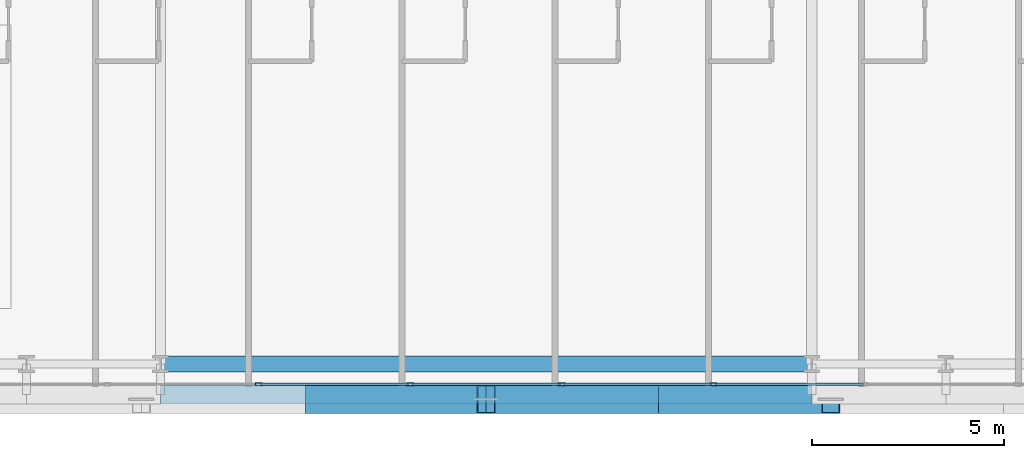
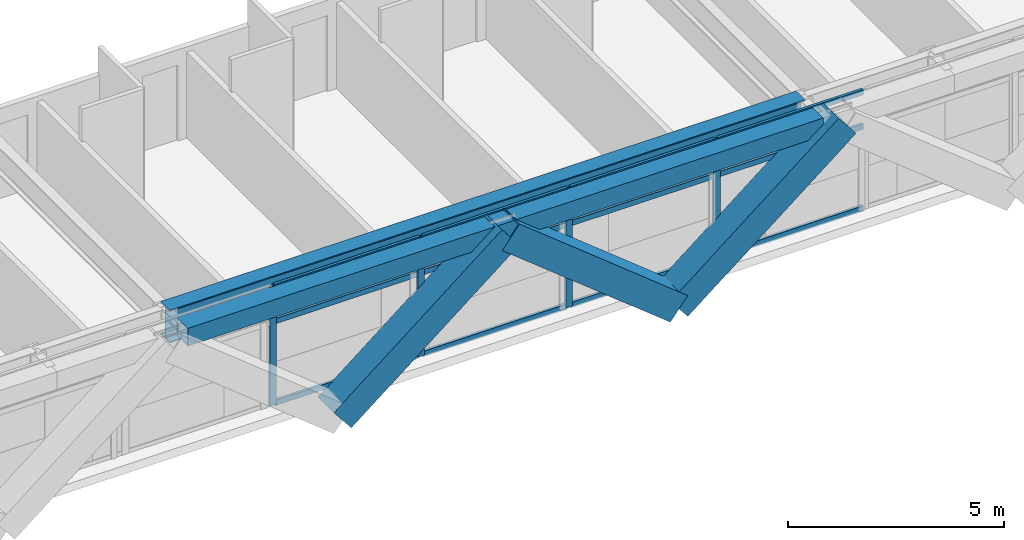
# One storey, part 5 of 36: 19 members, 2 beams, 1 element without a shape of its own.
"""IFC4 building model written with IfcOpenShell, lengths in metres."""

from ifc_helpers import new_model, si_unit, direction, frame, origin, origin_2d, place, context, subcontext, project, spatial, hollow_rectangle, i_section, extrude, source, transform, mapped, material, layer, layer_set, material_profile, profile_set, type_object, element, aggregate, save


model = new_model("IFC4")

# Units and contexts
model_context = context("Model", 3, precision=1e-05, world=origin(), true_north=direction((0.0, 1.0)))
body_context = subcontext(model_context, "Body", "Model", "MODEL_VIEW")
ifc_project = project(units=[si_unit("LENGTHUNIT", "METRE"), si_unit("AREAUNIT", "SQUARE_METRE"), si_unit("VOLUMEUNIT", "CUBIC_METRE"), si_unit("PLANEANGLEUNIT", "RADIAN"), si_unit("MASSUNIT", "GRAM", prefix="KILO")], contexts=[model_context])

# Site, building, storey
site_placement = place(None, origin())
site = spatial("IfcSite", under=ifc_project, at=site_placement, CompositionType="ELEMENT")
building_placement = place(site_placement, origin())
building = spatial("IfcBuilding", under=site, at=building_placement, Name="Ocotamira Hotel", CompositionType="ELEMENT")
storey_placement = place(building_placement, frame((0.0, 0.0, 129.60009765625)))
storey = spatial("IfcBuildingStorey", under=building, at=storey_placement, Name="L32", CompositionType="ELEMENT", Elevation=129.60009765625)

# Beams
ifc_material_1 = material(Name="Steel ASTM A992 Grade 50", Category="steel")
ifc_material_profile_1 = material_profile(ifc_material_1, i_section(OverallWidth=0.41796875, OverallDepth=0.927001953125, WebThickness=0.019287109375, FlangeThickness=0.031982421875, FilletRadius=0.02392578125, at=origin_2d()), Name="W36X231")
ifc_profile_set_1 = profile_set([ifc_material_profile_1], Name="Steel ASTM A992 Grade 50")
beam_type_1 = type_object("IfcBeamType", Name="BM-GIRD-W36X231", PredefinedType="BEAM", material=ifc_profile_set_1)
shared_shape_1 = source(origin(), body_context, "Body", "SweptSolid", [
    extrude(i_section(OverallWidth=0.41796875, OverallDepth=0.927001953125, WebThickness=0.019287109375, FlangeThickness=0.031982421875, FilletRadius=0.02392578125, at=origin_2d()), origin(), (0.0, 0.0, 1.0), 17.0),
])
beam_1_placement = place(storey_placement, frame((23.5, 2.949951171875, 2.896484375), z_axis=(1.0, 0.0, 0.0), x_axis=(0.0, 1.0, 0.0)))
element("IfcBeam", 1, at=beam_1_placement, inside=storey, type_object=beam_type_1, Name="L32 Girder Y2.95 X23.5-40.5", PredefinedType="BEAM", context=body_context, shape_type="MappedRepresentation", body=[
    mapped(shared_shape_1, transform((0.0, 0.0, 0.0), scale=1.0)),
])
ifc_material_2 = material(Name="Steel ASTM A500 Grade C", Category="steel")
ifc_material_profile_2 = material_profile(ifc_material_2, hollow_rectangle(XDim=0.5, YDim=0.5, WallThickness=0.02001953125, at=origin_2d()), Name="HSS500X500X20")
ifc_profile_set_2 = profile_set([ifc_material_profile_2], Name="Steel ASTM A500 Grade C")
beam_type_2 = type_object("IfcBeamType", Name="BM-SPAN-HSS500", PredefinedType="USERDEFINED", material=ifc_profile_set_2)
shared_shape_2 = source(origin(), body_context, "Body", "SweptSolid", [
    extrude(hollow_rectangle(XDim=0.5, YDim=0.5, WallThickness=0.02001953125, at=origin_2d()), origin(), (0.0, 0.0, 1.0), 17.0),
])
beam_2_placement = place(storey_placement, frame((23.5, 2.14990234375, 3.10986328125), z_axis=(1.0, 0.0, 0.0), x_axis=(0.0, 1.0, 0.0)))
element("IfcBeam", 2, at=beam_2_placement, inside=storey, type_object=beam_type_2, Name="L32 Edge Spandrel S X23.5-40.5", ObjectType="SPANDREL", PredefinedType="USERDEFINED", context=body_context, shape_type="MappedRepresentation", body=[
    mapped(shared_shape_2, transform((0.0, 0.0, 0.0), scale=1.0)),
])

# Members
ifc_material_3 = material(Name="Pale-metal coated steel ASTM A913 Grade 65", Category="steel")
ifc_material_profile_3 = material_profile(ifc_material_3, hollow_rectangle(XDim=0.75, YDim=0.75, WallThickness=0.028076171875, at=origin_2d()), Name="BOX750X750X28")
ifc_profile_set_3 = profile_set([ifc_material_profile_3], Name="Pale-metal coated steel ASTM A913 Grade 65")
member_type_1 = type_object("IfcMemberType", Name="MEM-EXO-BOX750", PredefinedType="BRACE", material=ifc_profile_set_3)
shared_shape_3 = source(origin(), body_context, "Body", "SweptSolid", [
    extrude(hollow_rectangle(XDim=0.75, YDim=0.75, WallThickness=0.028076171875, at=origin_2d()), origin(), (0.0, 0.0, 1.0), 5.7626953125),
])
for number, where, z_axis, x_axis, name in (
    (3, (27.5, 2.030029296875, -0.489990234375), (0.780881208953, 0.0, 0.624679547852), (0.0, 1.0, 0.0), "L32 Exoskeleton Diagrid S1.2"),
    (4, (36.5, 2.030029296875, -0.489990234375), (-0.780881208953, 0.0, 0.624679547852), (0.0, -1.0, 0.0), "L32 Exoskeleton Diagrid S2.1"),
    (5, (36.5, 2.030029296875, -0.489990234375), (0.780881208953, 0.0, 0.624679547852), (0.0, 1.0, 0.0), "L32 Exoskeleton Diagrid S2.2"),
):
    element("IfcMember", number, at=place(storey_placement, frame(where, z_axis=z_axis, x_axis=x_axis)), inside=storey, type_object=member_type_1, Name=name, PredefinedType="BRACE", context=body_context, shape_type="MappedRepresentation", body=[
        mapped(shared_shape_3, transform((0.0, 0.0, 0.0), scale=1.0)),
    ])

# Curtain wall, members
ifc_material_4 = material(Name="Anodised pale-metal aluminium and solar glass", Category="aluminium")
ifc_layer = layer(ifc_material_4, 0.179931640625)
ifc_layer_set = layer_set([ifc_layer], Name="Anodised pale-metal aluminium and solar glass")
curtain_wall_type = type_object("IfcCurtainWallType", Name="CW-SYS3-Z2", PredefinedType="NOTDEFINED", material=ifc_layer_set)
curtain_wall_placement = place(storey_placement, origin())
curtain_wall = element("IfcCurtainWall", 6, at=curtain_wall_placement, inside=storey, type_object=curtain_wall_type, Name="L32 Curtain Wall CW-3 CW-L32-S1", PredefinedType="NOTDEFINED")
ifc_material_5 = material(Name="Anodised pale-metal aluminium 6063-T6", Category="aluminium")
ifc_material_profile_4 = material_profile(ifc_material_5, hollow_rectangle(XDim=0.074951171875, YDim=0.14990234375, WallThickness=0.006103515625, at=origin_2d()), Name="HSS150X75X6")
ifc_profile_set_4 = profile_set([ifc_material_profile_4], Name="Anodised pale-metal aluminium 6063-T6")
member_type_2 = type_object("IfcMemberType", Name="CWT-150X75", PredefinedType="USERDEFINED", material=ifc_profile_set_4)
shared_shape_4 = source(origin(), body_context, "Body", "SweptSolid", [
    extrude(hollow_rectangle(XDim=0.074951171875, YDim=0.14990234375, WallThickness=0.006103515625, at=origin_2d()), origin(), (0.0, 0.0, 1.0), 3.87548828125),
])
member_1_placement = place(storey_placement, frame((26.106689453125, 2.419921875, 0.037353515625), z_axis=(1.0, 0.0, 0.0), x_axis=(0.0, 1.0, 0.0)))
member_1 = element("IfcMember", 7, at=member_1_placement, type_object=member_type_2, Name="CW-3 transom 4.1", ObjectType="TRANSOM", PredefinedType="USERDEFINED", context=body_context, shape_type="MappedRepresentation", body=[
    mapped(shared_shape_4, transform((0.0, 0.0, 0.0), scale=1.0)),
])
member_2_placement = place(storey_placement, frame((26.106689453125, 2.419921875, 2.349853515625), z_axis=(1.0, 0.0, 0.0), x_axis=(0.0, 1.0, 0.0)))
member_2 = element("IfcMember", 8, at=member_2_placement, type_object=member_type_2, Name="CW-3 transom 4.2", ObjectType="TRANSOM", PredefinedType="USERDEFINED", context=body_context, shape_type="MappedRepresentation", body=[
    mapped(shared_shape_4, transform((0.0, 0.0, 0.0), scale=1.0)),
])
member_3_placement = place(storey_placement, frame((26.106689453125, 2.419921875, 3.322509765625), z_axis=(1.0, 0.0, 0.0), x_axis=(0.0, 1.0, 0.0)))
member_3 = element("IfcMember", 9, at=member_3_placement, type_object=member_type_2, Name="CW-3 transom 4.3", ObjectType="TRANSOM", PredefinedType="USERDEFINED", context=body_context, shape_type="MappedRepresentation", body=[
    mapped(shared_shape_4, transform((0.0, 0.0, 0.0), scale=1.0)),
])
member_4_placement = place(storey_placement, frame((30.062255859375, 2.419921875, 0.037353515625), z_axis=(1.0, 0.0, 0.0), x_axis=(0.0, 1.0, 0.0)))
member_4 = element("IfcMember", 10, at=member_4_placement, type_object=member_type_2, Name="CW-3 transom 5.1", ObjectType="TRANSOM", PredefinedType="USERDEFINED", context=body_context, shape_type="MappedRepresentation", body=[
    mapped(shared_shape_4, transform((0.0, 0.0, 0.0), scale=1.0)),
])
member_5_placement = place(storey_placement, frame((30.062255859375, 2.419921875, 2.349853515625), z_axis=(1.0, 0.0, 0.0), x_axis=(0.0, 1.0, 0.0)))
member_5 = element("IfcMember", 11, at=member_5_placement, type_object=member_type_2, Name="CW-3 transom 5.2", ObjectType="TRANSOM", PredefinedType="USERDEFINED", context=body_context, shape_type="MappedRepresentation", body=[
    mapped(shared_shape_4, transform((0.0, 0.0, 0.0), scale=1.0)),
])
member_6_placement = place(storey_placement, frame((30.062255859375, 2.419921875, 3.322509765625), z_axis=(1.0, 0.0, 0.0), x_axis=(0.0, 1.0, 0.0)))
member_6 = element("IfcMember", 12, at=member_6_placement, type_object=member_type_2, Name="CW-3 transom 5.3", ObjectType="TRANSOM", PredefinedType="USERDEFINED", context=body_context, shape_type="MappedRepresentation", body=[
    mapped(shared_shape_4, transform((0.0, 0.0, 0.0), scale=1.0)),
])
member_7_placement = place(storey_placement, frame((34.017822265625, 2.419921875, 0.037353515625), z_axis=(1.0, 0.0, 0.0), x_axis=(0.0, 1.0, 0.0)))
member_7 = element("IfcMember", 13, at=member_7_placement, type_object=member_type_2, Name="CW-3 transom 6.1", ObjectType="TRANSOM", PredefinedType="USERDEFINED", context=body_context, shape_type="MappedRepresentation", body=[
    mapped(shared_shape_4, transform((0.0, 0.0, 0.0), scale=1.0)),
])
member_8_placement = place(storey_placement, frame((34.017822265625, 2.419921875, 2.349853515625), z_axis=(1.0, 0.0, 0.0), x_axis=(0.0, 1.0, 0.0)))
member_8 = element("IfcMember", 14, at=member_8_placement, type_object=member_type_2, Name="CW-3 transom 6.2", ObjectType="TRANSOM", PredefinedType="USERDEFINED", context=body_context, shape_type="MappedRepresentation", body=[
    mapped(shared_shape_4, transform((0.0, 0.0, 0.0), scale=1.0)),
])
member_9_placement = place(storey_placement, frame((34.017822265625, 2.419921875, 3.322509765625), z_axis=(1.0, 0.0, 0.0), x_axis=(0.0, 1.0, 0.0)))
member_9 = element("IfcMember", 15, at=member_9_placement, type_object=member_type_2, Name="CW-3 transom 6.3", ObjectType="TRANSOM", PredefinedType="USERDEFINED", context=body_context, shape_type="MappedRepresentation", body=[
    mapped(shared_shape_4, transform((0.0, 0.0, 0.0), scale=1.0)),
])
member_10_placement = place(storey_placement, frame((37.973388671875, 2.419921875, 0.037353515625), z_axis=(1.0, 0.0, 0.0), x_axis=(0.0, 1.0, 0.0)))
member_10 = element("IfcMember", 16, at=member_10_placement, type_object=member_type_2, Name="CW-3 transom 7.1", ObjectType="TRANSOM", PredefinedType="USERDEFINED", context=body_context, shape_type="MappedRepresentation", body=[
    mapped(shared_shape_4, transform((0.0, 0.0, 0.0), scale=1.0)),
])
member_11_placement = place(storey_placement, frame((37.973388671875, 2.419921875, 2.349853515625), z_axis=(1.0, 0.0, 0.0), x_axis=(0.0, 1.0, 0.0)))
member_11 = element("IfcMember", 17, at=member_11_placement, type_object=member_type_2, Name="CW-3 transom 7.2", ObjectType="TRANSOM", PredefinedType="USERDEFINED", context=body_context, shape_type="MappedRepresentation", body=[
    mapped(shared_shape_4, transform((0.0, 0.0, 0.0), scale=1.0)),
])
member_12_placement = place(storey_placement, frame((37.973388671875, 2.419921875, 3.322509765625), z_axis=(1.0, 0.0, 0.0), x_axis=(0.0, 1.0, 0.0)))
member_12 = element("IfcMember", 18, at=member_12_placement, type_object=member_type_2, Name="CW-3 transom 7.3", ObjectType="TRANSOM", PredefinedType="USERDEFINED", context=body_context, shape_type="MappedRepresentation", body=[
    mapped(shared_shape_4, transform((0.0, 0.0, 0.0), scale=1.0)),
])
ifc_material_profile_5 = material_profile(ifc_material_5, hollow_rectangle(XDim=0.080078125, YDim=0.179931640625, WallThickness=0.006103515625, at=origin_2d()), Name="HSS180X80X6")
ifc_profile_set_5 = profile_set([ifc_material_profile_5], Name="Anodised pale-metal aluminium 6063-T6")
member_type_3 = type_object("IfcMemberType", Name="CWM-180X75", PredefinedType="MULLION", material=ifc_profile_set_5)
shared_shape_5 = source(origin(), body_context, "Body", "SweptSolid", [
    extrude(hollow_rectangle(XDim=0.080078125, YDim=0.179931640625, WallThickness=0.006103515625, at=origin_2d()), origin(), (0.0, 0.0, 1.0), 3.35986328125),
])
member_13_placement = place(storey_placement, frame((26.066650390625, 2.419921875, 0.0), z_axis=(0.0, 0.0, 1.0), x_axis=(0.0, 1.0, 0.0)))
member_13 = element("IfcMember", 19, at=member_13_placement, type_object=member_type_3, Name="CW-3 mullion 4", PredefinedType="MULLION", context=body_context, shape_type="MappedRepresentation", body=[
    mapped(shared_shape_5, transform((0.0, 0.0, 0.0), scale=1.0)),
])
member_14_placement = place(storey_placement, frame((30.022216796875, 2.419921875, 0.0), z_axis=(0.0, 0.0, 1.0), x_axis=(0.0, 1.0, 0.0)))
member_14 = element("IfcMember", 20, at=member_14_placement, type_object=member_type_3, Name="CW-3 mullion 5", PredefinedType="MULLION", context=body_context, shape_type="MappedRepresentation", body=[
    mapped(shared_shape_5, transform((0.0, 0.0, 0.0), scale=1.0)),
])
member_15_placement = place(storey_placement, frame((33.977783203125, 2.419921875, 0.0), z_axis=(0.0, 0.0, 1.0), x_axis=(0.0, 1.0, 0.0)))
member_15 = element("IfcMember", 21, at=member_15_placement, type_object=member_type_3, Name="CW-3 mullion 6", PredefinedType="MULLION", context=body_context, shape_type="MappedRepresentation", body=[
    mapped(shared_shape_5, transform((0.0, 0.0, 0.0), scale=1.0)),
])
member_16_placement = place(storey_placement, frame((37.933349609375, 2.419921875, 0.0), z_axis=(0.0, 0.0, 1.0), x_axis=(0.0, 1.0, 0.0)))
member_16 = element("IfcMember", 22, at=member_16_placement, type_object=member_type_3, Name="CW-3 mullion 7", PredefinedType="MULLION", context=body_context, shape_type="MappedRepresentation", body=[
    mapped(shared_shape_5, transform((0.0, 0.0, 0.0), scale=1.0)),
])
aggregate(curtain_wall, [member_13, member_14, member_15, member_16, member_1, member_2, member_3, member_4, member_5, member_6, member_7, member_8, member_9, member_10, member_11, member_12])

save(model, "model.ifc")
